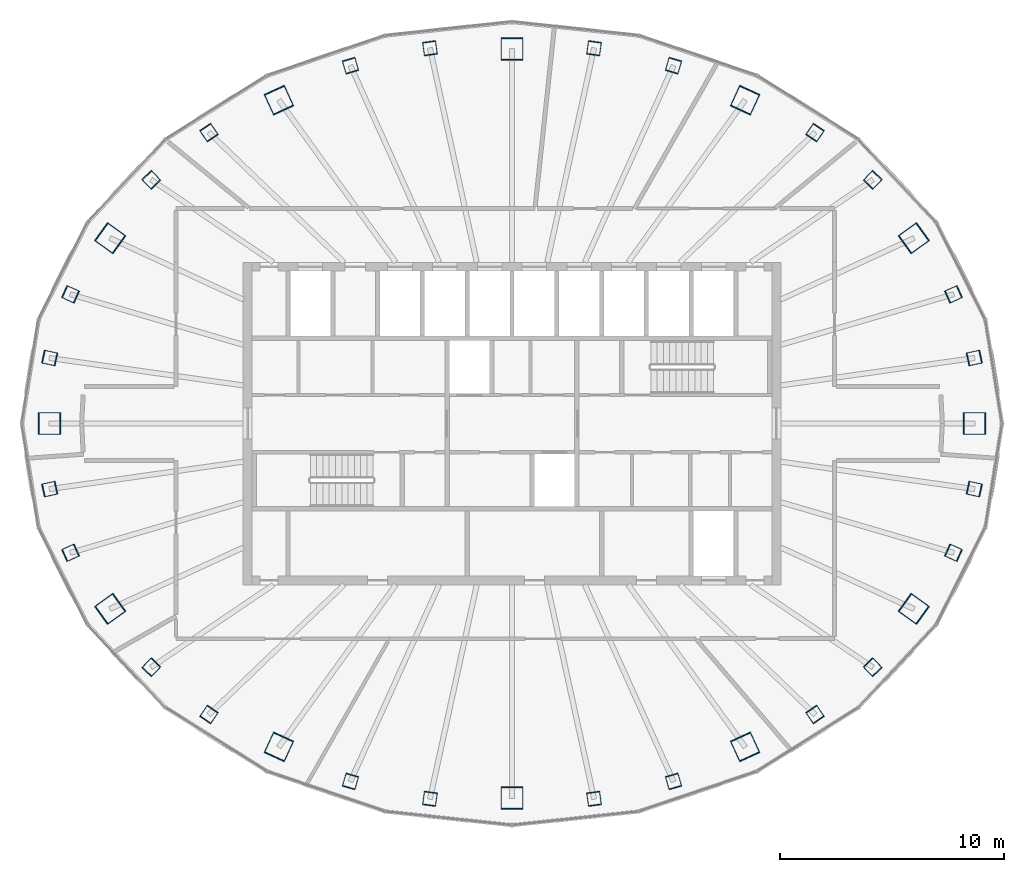
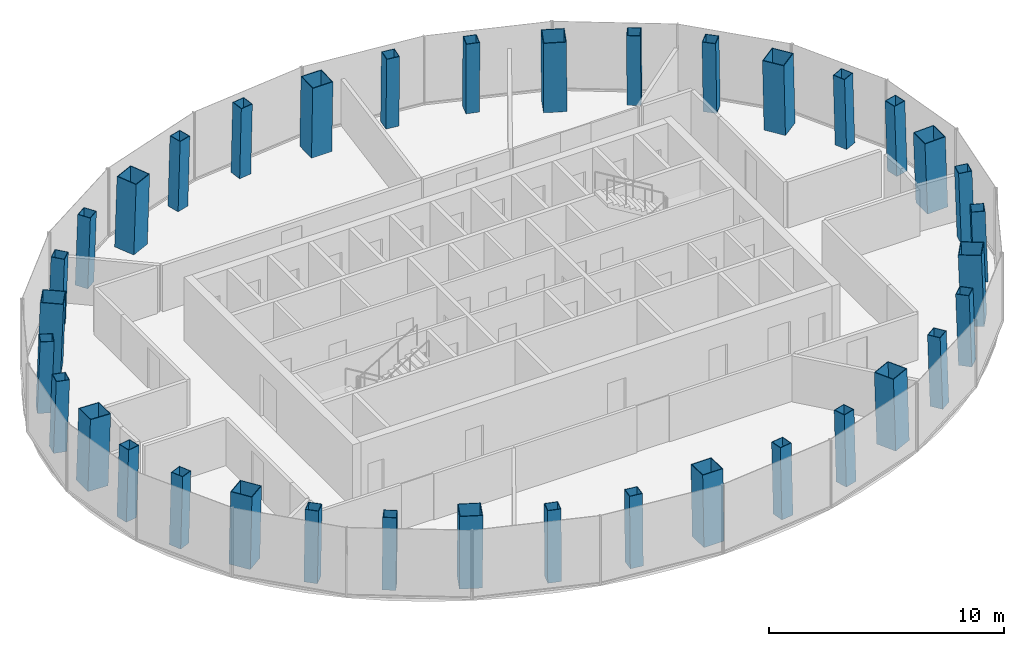
# One storey, part 1 of 11: 36 columns.
"""IFC4 building model written with IfcOpenShell, lengths in metres."""

from ifc_helpers import new_model, si_unit, direction, frame, origin, origin_2d, place, context, subcontext, project, spatial, hollow_rectangle, extrude, material, material_profile, profile_set, type_object, element, save


model = new_model("IFC4")

# Units and contexts
model_context = context("Model", 3, precision=1e-05, world=origin(), true_north=direction((0.0, 1.0)))
body_context = subcontext(model_context, "Body", "Model", "MODEL_VIEW")
ifc_project = project(units=[si_unit("LENGTHUNIT", "METRE"), si_unit("AREAUNIT", "SQUARE_METRE"), si_unit("VOLUMEUNIT", "CUBIC_METRE"), si_unit("PLANEANGLEUNIT", "RADIAN"), si_unit("MASSUNIT", "GRAM", prefix="KILO")], contexts=[model_context])

# Site, building, storey
site_placement = place(None, origin())
site = spatial("IfcSite", under=ifc_project, at=site_placement, CompositionType="ELEMENT")
building_placement = place(site_placement, origin())
building = spatial("IfcBuilding", under=site, at=building_placement, Name="Siaravel Broadcast Tower", CompositionType="ELEMENT")
storey_placement = place(building_placement, frame((0.0, 0.0, 224.5)))
storey = spatial("IfcBuildingStorey", under=building, at=storey_placement, Name="L54", CompositionType="ELEMENT", Elevation=224.5)

# Columns
ifc_material_1 = material(Name="Concrete C70/85", Category="concrete")
ifc_material_profile_1 = material_profile(ifc_material_1, hollow_rectangle(XDim=1.0, YDim=1.0, WallThickness=0.031982421875, at=origin_2d()))
ifc_profile_set_1 = profile_set([ifc_material_profile_1], Name="Concrete C70/85")
column_type_1 = type_object("IfcColumnType", Name="COL-CFT BOX 1000x1000x32", PredefinedType="COLUMN", material=ifc_profile_set_1)
column_1_placement = place(storey_placement, frame((20.672119140625, 0.0, 0.0), z_axis=(-0.034555398, 0.0, 0.999402784), x_axis=(0.0, -1.0, 0.0)))
element("IfcColumn", 1, at=column_1_placement, inside=storey, type_object=column_type_1, Name="Megacolumn MC01", PredefinedType="COLUMN", context=body_context, shape_type="SweptSolid", body=[
    extrude(hollow_rectangle(XDim=1.0, YDim=1.0, WallThickness=0.031982421875, at=origin_2d()), origin(), (0.0, 0.0, 1.0), 3.7021484375),
])
column_2_placement = place(storey_placement, frame((17.9560546875, 8.283203125, 0.0), z_axis=(-0.029940667, -0.01417895, 0.999451106), x_axis=(0.584227285, -0.811568001, 0.005988259)))
element("IfcColumn", 2, at=column_2_placement, inside=storey, type_object=column_type_1, Name="Megacolumn MC02", PredefinedType="COLUMN", context=body_context, shape_type="SweptSolid", body=[
    extrude(hollow_rectangle(XDim=1.0, YDim=1.0, WallThickness=0.031982421875, at=origin_2d()), origin(), (0.0, 0.0, 1.0), 3.701904296875),
])
column_3_placement = place(storey_placement, frame((10.415771484375, 14.4501953125, 0.0), z_axis=(-0.017280237, -0.024535299, 0.999549605), x_axis=(0.908584408, -0.41766567, 0.005455459)))
element("IfcColumn", 3, at=column_3_placement, inside=storey, type_object=column_type_1, Name="Megacolumn MC03", PredefinedType="COLUMN", context=body_context, shape_type="SweptSolid", body=[
    extrude(hollow_rectangle(XDim=1.0, YDim=1.0, WallThickness=0.031982421875, at=origin_2d()), origin(), (0.0, 0.0, 1.0), 3.70166015625),
])
column_4_placement = place(storey_placement, frame((0.0, 16.73388671875, 0.0), z_axis=(0.0, -0.02836206, 0.999597716), x_axis=(1.0, 0.0, 0.0)))
element("IfcColumn", 4, at=column_4_placement, inside=storey, type_object=column_type_1, Name="Megacolumn MC04", PredefinedType="COLUMN", context=body_context, shape_type="SweptSolid", body=[
    extrude(hollow_rectangle(XDim=1.0, YDim=1.0, WallThickness=0.031982421875, at=origin_2d()), origin(), (0.0, 0.0, 1.0), 3.701416015625),
])
column_5_placement = place(storey_placement, frame((-10.415771484375, 14.4501953125, 0.0), z_axis=(0.017280237, -0.024535299, 0.999549605), x_axis=(0.908584408, 0.41766567, -0.005455459)))
element("IfcColumn", 5, at=column_5_placement, inside=storey, type_object=column_type_1, Name="Megacolumn MC05", PredefinedType="COLUMN", context=body_context, shape_type="SweptSolid", body=[
    extrude(hollow_rectangle(XDim=1.0, YDim=1.0, WallThickness=0.031982421875, at=origin_2d()), origin(), (0.0, 0.0, 1.0), 3.70166015625),
])
column_6_placement = place(storey_placement, frame((-17.9560546875, 8.283203125, 0.0), z_axis=(0.029940667, -0.01417895, 0.999451106), x_axis=(0.584227285, 0.811568001, -0.005988259)))
element("IfcColumn", 6, at=column_6_placement, inside=storey, type_object=column_type_1, Name="Megacolumn MC06", PredefinedType="COLUMN", context=body_context, shape_type="SweptSolid", body=[
    extrude(hollow_rectangle(XDim=1.0, YDim=1.0, WallThickness=0.031982421875, at=origin_2d()), origin(), (0.0, 0.0, 1.0), 3.701904296875),
])
column_7_placement = place(storey_placement, frame((-20.672119140625, 0.0, 0.0), z_axis=(0.034555398, 0.0, 0.999402784), x_axis=(0.0, 1.0, 0.0)))
element("IfcColumn", 7, at=column_7_placement, inside=storey, type_object=column_type_1, Name="Megacolumn MC07", PredefinedType="COLUMN", context=body_context, shape_type="SweptSolid", body=[
    extrude(hollow_rectangle(XDim=1.0, YDim=1.0, WallThickness=0.031982421875, at=origin_2d()), origin(), (0.0, 0.0, 1.0), 3.7021484375),
])
column_8_placement = place(storey_placement, frame((-17.9560546875, -8.283203125, 0.0), z_axis=(0.029940667, 0.01417895, 0.999451106), x_axis=(-0.584227285, 0.811568001, 0.005988259)))
element("IfcColumn", 8, at=column_8_placement, inside=storey, type_object=column_type_1, Name="Megacolumn MC08", PredefinedType="COLUMN", context=body_context, shape_type="SweptSolid", body=[
    extrude(hollow_rectangle(XDim=1.0, YDim=1.0, WallThickness=0.031982421875, at=origin_2d()), origin(), (0.0, 0.0, 1.0), 3.701904296875),
])
column_9_placement = place(storey_placement, frame((-10.415771484375, -14.4501953125, 0.0), z_axis=(0.017280237, 0.024535299, 0.999549605), x_axis=(-0.908584408, 0.41766567, 0.005455459)))
element("IfcColumn", 9, at=column_9_placement, inside=storey, type_object=column_type_1, Name="Megacolumn MC09", PredefinedType="COLUMN", context=body_context, shape_type="SweptSolid", body=[
    extrude(hollow_rectangle(XDim=1.0, YDim=1.0, WallThickness=0.031982421875, at=origin_2d()), origin(), (0.0, 0.0, 1.0), 3.70166015625),
])
column_10_placement = place(storey_placement, frame((0.0, -16.73388671875, 0.0), z_axis=(0.0, 0.02836206, 0.999597716), x_axis=(-1.0, 0.0, 0.0)))
element("IfcColumn", 10, at=column_10_placement, inside=storey, type_object=column_type_1, Name="Megacolumn MC10", PredefinedType="COLUMN", context=body_context, shape_type="SweptSolid", body=[
    extrude(hollow_rectangle(XDim=1.0, YDim=1.0, WallThickness=0.031982421875, at=origin_2d()), origin(), (0.0, 0.0, 1.0), 3.701416015625),
])
column_11_placement = place(storey_placement, frame((10.415771484375, -14.4501953125, 0.0), z_axis=(-0.017280237, 0.024535299, 0.999549605), x_axis=(-0.908584408, -0.41766567, -0.005455459)))
element("IfcColumn", 11, at=column_11_placement, inside=storey, type_object=column_type_1, Name="Megacolumn MC11", PredefinedType="COLUMN", context=body_context, shape_type="SweptSolid", body=[
    extrude(hollow_rectangle(XDim=1.0, YDim=1.0, WallThickness=0.031982421875, at=origin_2d()), origin(), (0.0, 0.0, 1.0), 3.70166015625),
])
column_12_placement = place(storey_placement, frame((17.9560546875, -8.283203125, 0.0), z_axis=(-0.029940667, 0.01417895, 0.999451106), x_axis=(-0.584227285, -0.811568001, -0.005988259)))
element("IfcColumn", 12, at=column_12_placement, inside=storey, type_object=column_type_1, Name="Megacolumn MC12", PredefinedType="COLUMN", context=body_context, shape_type="SweptSolid", body=[
    extrude(hollow_rectangle(XDim=1.0, YDim=1.0, WallThickness=0.031982421875, at=origin_2d()), origin(), (0.0, 0.0, 1.0), 3.701904296875),
])
ifc_material_2 = material(Name="Concrete C50/60", Category="concrete")
ifc_material_profile_2 = material_profile(ifc_material_2, hollow_rectangle(XDim=0.60009765625, YDim=0.60009765625, WallThickness=0.02490234375, at=origin_2d()))
ifc_profile_set_2 = profile_set([ifc_material_profile_2], Name="Concrete C50/60")
column_type_2 = type_object("IfcColumnType", Name="COL-CFT BOX 600x600x25", PredefinedType="COLUMN", material=ifc_profile_set_2)
for number, where, z_axis, x_axis, name in (
    (13, (20.6591796875, 2.928466796875, 0.0), (-0.034028034, -0.004945935, 0.99940864), (0.213840646, -0.976865494, 0.00244651), "Perimeter column C01"),
    (14, (19.72802734375, 5.774658203125, 0.0), (-0.032511791, -0.009694185, 0.999424337), (0.410569675, -0.911818067, 0.00451162), "Perimeter column C02"),
):
    element("IfcColumn", number, at=place(storey_placement, frame(where, z_axis=z_axis, x_axis=x_axis)), inside=storey, type_object=column_type_2, Name=name, PredefinedType="COLUMN", context=body_context, shape_type="SweptSolid", body=[
        extrude(hollow_rectangle(XDim=0.60009765625, YDim=0.60009765625, WallThickness=0.02490234375, at=origin_2d()), origin(), (0.0, 0.0, 1.0), 3.7021484375),
    ])
column_13_placement = place(storey_placement, frame((16.11962890625, 10.890869140625, 0.0), z_axis=(-0.026512179, -0.018202391, 0.999482755), x_axis=(0.720685424, -0.693231834, 0.006491821)))
element("IfcColumn", 15, at=column_13_placement, inside=storey, type_object=column_type_2, Name="Perimeter column C03", PredefinedType="COLUMN", context=body_context, shape_type="SweptSolid", body=[
    extrude(hollow_rectangle(XDim=0.60009765625, YDim=0.60009765625, WallThickness=0.02490234375, at=origin_2d()), origin(), (0.0, 0.0, 1.0), 3.701904296875),
])
column_14_placement = place(storey_placement, frame((13.541748046875, 13.002197265625, 0.0), z_axis=(-0.022226156, -0.021698532, 0.999517469), x_axis=(0.828721704, -0.559625686, 0.006279272)))
element("IfcColumn", 16, at=column_14_placement, inside=storey, type_object=column_type_2, Name="Perimeter column C04", PredefinedType="COLUMN", context=body_context, shape_type="SweptSolid", body=[
    extrude(hollow_rectangle(XDim=0.60009765625, YDim=0.60009765625, WallThickness=0.02490234375, at=origin_2d()), origin(), (0.0, 0.0, 1.0), 3.70166015625),
])
for number, where, z_axis, x_axis, name in (
    (17, (7.218017578125, 15.99169921875, 0.0), (-0.011806266, -0.026646544, 0.999575197), (0.960243081, -0.27913798, 0.00390048), "Perimeter column C05"),
    (18, (3.666259765625, 16.77099609375, 0.0), (-0.006002173, -0.027900212, 0.999592693), (0.990193792, -0.139685592, 0.002046891), "Perimeter column C06"),
    (19, (-3.666259765625, 16.77099609375, 0.0), (0.006002173, -0.027900212, 0.999592693), (0.990193792, 0.139685592, -0.002046891), "Perimeter column C07"),
    (20, (-7.218017578125, 15.99169921875, 0.0), (0.011806266, -0.026646544, 0.999575197), (0.960243081, 0.27913798, -0.00390048), "Perimeter column C08"),
):
    element("IfcColumn", number, at=place(storey_placement, frame(where, z_axis=z_axis, x_axis=x_axis)), inside=storey, type_object=column_type_2, Name=name, PredefinedType="COLUMN", context=body_context, shape_type="SweptSolid", body=[
        extrude(hollow_rectangle(XDim=0.60009765625, YDim=0.60009765625, WallThickness=0.02490234375, at=origin_2d()), origin(), (0.0, 0.0, 1.0), 3.701416015625),
    ])
column_15_placement = place(storey_placement, frame((-13.541748046875, 13.002197265625, 0.0), z_axis=(0.022226156, -0.021698532, 0.999517469), x_axis=(0.828721704, 0.559625686, -0.006279272)))
element("IfcColumn", 21, at=column_15_placement, inside=storey, type_object=column_type_2, Name="Perimeter column C09", PredefinedType="COLUMN", context=body_context, shape_type="SweptSolid", body=[
    extrude(hollow_rectangle(XDim=0.60009765625, YDim=0.60009765625, WallThickness=0.02490234375, at=origin_2d()), origin(), (0.0, 0.0, 1.0), 3.70166015625),
])
column_16_placement = place(storey_placement, frame((-16.11962890625, 10.890869140625, 0.0), z_axis=(0.026512179, -0.018202391, 0.999482755), x_axis=(0.720685424, 0.693231834, -0.006491821)))
element("IfcColumn", 22, at=column_16_placement, inside=storey, type_object=column_type_2, Name="Perimeter column C10", PredefinedType="COLUMN", context=body_context, shape_type="SweptSolid", body=[
    extrude(hollow_rectangle(XDim=0.60009765625, YDim=0.60009765625, WallThickness=0.02490234375, at=origin_2d()), origin(), (0.0, 0.0, 1.0), 3.701904296875),
])
for number, where, z_axis, x_axis, name in (
    (23, (-19.72802734375, 5.774658203125, 0.0), (0.032511791, -0.009694185, 0.999424337), (0.410569675, 0.911818067, -0.00451162), "Perimeter column C11"),
    (24, (-20.6591796875, 2.928466796875, 0.0), (0.034028034, -0.004945935, 0.99940864), (0.213840646, 0.976865494, -0.00244651), "Perimeter column C12"),
    (25, (-20.6591796875, -2.928466796875, 0.0), (0.034028034, 0.004945935, 0.99940864), (-0.213840646, 0.976865494, 0.00244651), "Perimeter column C13"),
    (26, (-19.72802734375, -5.774658203125, 0.0), (0.032511791, 0.009694185, 0.999424337), (-0.410569675, 0.911818067, 0.00451162), "Perimeter column C14"),
):
    element("IfcColumn", number, at=place(storey_placement, frame(where, z_axis=z_axis, x_axis=x_axis)), inside=storey, type_object=column_type_2, Name=name, PredefinedType="COLUMN", context=body_context, shape_type="SweptSolid", body=[
        extrude(hollow_rectangle(XDim=0.60009765625, YDim=0.60009765625, WallThickness=0.02490234375, at=origin_2d()), origin(), (0.0, 0.0, 1.0), 3.7021484375),
    ])
column_17_placement = place(storey_placement, frame((-16.11962890625, -10.890869140625, 0.0), z_axis=(0.026512179, 0.018202391, 0.999482755), x_axis=(-0.720685424, 0.693231834, 0.006491821)))
element("IfcColumn", 27, at=column_17_placement, inside=storey, type_object=column_type_2, Name="Perimeter column C15", PredefinedType="COLUMN", context=body_context, shape_type="SweptSolid", body=[
    extrude(hollow_rectangle(XDim=0.60009765625, YDim=0.60009765625, WallThickness=0.02490234375, at=origin_2d()), origin(), (0.0, 0.0, 1.0), 3.701904296875),
])
column_18_placement = place(storey_placement, frame((-13.541748046875, -13.002197265625, 0.0), z_axis=(0.022226156, 0.021698532, 0.999517469), x_axis=(-0.828721704, 0.559625686, 0.006279272)))
element("IfcColumn", 28, at=column_18_placement, inside=storey, type_object=column_type_2, Name="Perimeter column C16", PredefinedType="COLUMN", context=body_context, shape_type="SweptSolid", body=[
    extrude(hollow_rectangle(XDim=0.60009765625, YDim=0.60009765625, WallThickness=0.02490234375, at=origin_2d()), origin(), (0.0, 0.0, 1.0), 3.70166015625),
])
for number, where, z_axis, x_axis, name in (
    (29, (-7.218017578125, -15.99169921875, 0.0), (0.011806266, 0.026646544, 0.999575197), (-0.960243081, 0.27913798, 0.00390048), "Perimeter column C17"),
    (30, (-3.666259765625, -16.77099609375, 0.0), (0.006002173, 0.027900212, 0.999592693), (-0.990193792, 0.139685592, 0.002046891), "Perimeter column C18"),
    (31, (3.666259765625, -16.77099609375, 0.0), (-0.006002173, 0.027900212, 0.999592693), (-0.990193792, -0.139685592, -0.002046891), "Perimeter column C19"),
    (32, (7.218017578125, -15.99169921875, 0.0), (-0.011806266, 0.026646544, 0.999575197), (-0.960243081, -0.27913798, -0.00390048), "Perimeter column C20"),
):
    element("IfcColumn", number, at=place(storey_placement, frame(where, z_axis=z_axis, x_axis=x_axis)), inside=storey, type_object=column_type_2, Name=name, PredefinedType="COLUMN", context=body_context, shape_type="SweptSolid", body=[
        extrude(hollow_rectangle(XDim=0.60009765625, YDim=0.60009765625, WallThickness=0.02490234375, at=origin_2d()), origin(), (0.0, 0.0, 1.0), 3.701416015625),
    ])
column_19_placement = place(storey_placement, frame((13.541748046875, -13.002197265625, 0.0), z_axis=(-0.022226156, 0.021698532, 0.999517469), x_axis=(-0.828721704, -0.559625686, -0.006279272)))
element("IfcColumn", 33, at=column_19_placement, inside=storey, type_object=column_type_2, Name="Perimeter column C21", PredefinedType="COLUMN", context=body_context, shape_type="SweptSolid", body=[
    extrude(hollow_rectangle(XDim=0.60009765625, YDim=0.60009765625, WallThickness=0.02490234375, at=origin_2d()), origin(), (0.0, 0.0, 1.0), 3.70166015625),
])
column_20_placement = place(storey_placement, frame((16.11962890625, -10.890869140625, 0.0), z_axis=(-0.026512179, 0.018202391, 0.999482755), x_axis=(-0.720685424, -0.693231834, -0.006491821)))
element("IfcColumn", 34, at=column_20_placement, inside=storey, type_object=column_type_2, Name="Perimeter column C22", PredefinedType="COLUMN", context=body_context, shape_type="SweptSolid", body=[
    extrude(hollow_rectangle(XDim=0.60009765625, YDim=0.60009765625, WallThickness=0.02490234375, at=origin_2d()), origin(), (0.0, 0.0, 1.0), 3.701904296875),
])
for number, where, z_axis, x_axis, name in (
    (35, (19.72802734375, -5.774658203125, 0.0), (-0.032511791, 0.009694185, 0.999424337), (-0.410569675, -0.911818067, -0.00451162), "Perimeter column C23"),
    (36, (20.6591796875, -2.928466796875, 0.0), (-0.034028034, 0.004945935, 0.99940864), (-0.213840646, -0.976865494, -0.00244651), "Perimeter column C24"),
):
    element("IfcColumn", number, at=place(storey_placement, frame(where, z_axis=z_axis, x_axis=x_axis)), inside=storey, type_object=column_type_2, Name=name, PredefinedType="COLUMN", context=body_context, shape_type="SweptSolid", body=[
        extrude(hollow_rectangle(XDim=0.60009765625, YDim=0.60009765625, WallThickness=0.02490234375, at=origin_2d()), origin(), (0.0, 0.0, 1.0), 3.7021484375),
    ])

save(model, "model.ifc")
